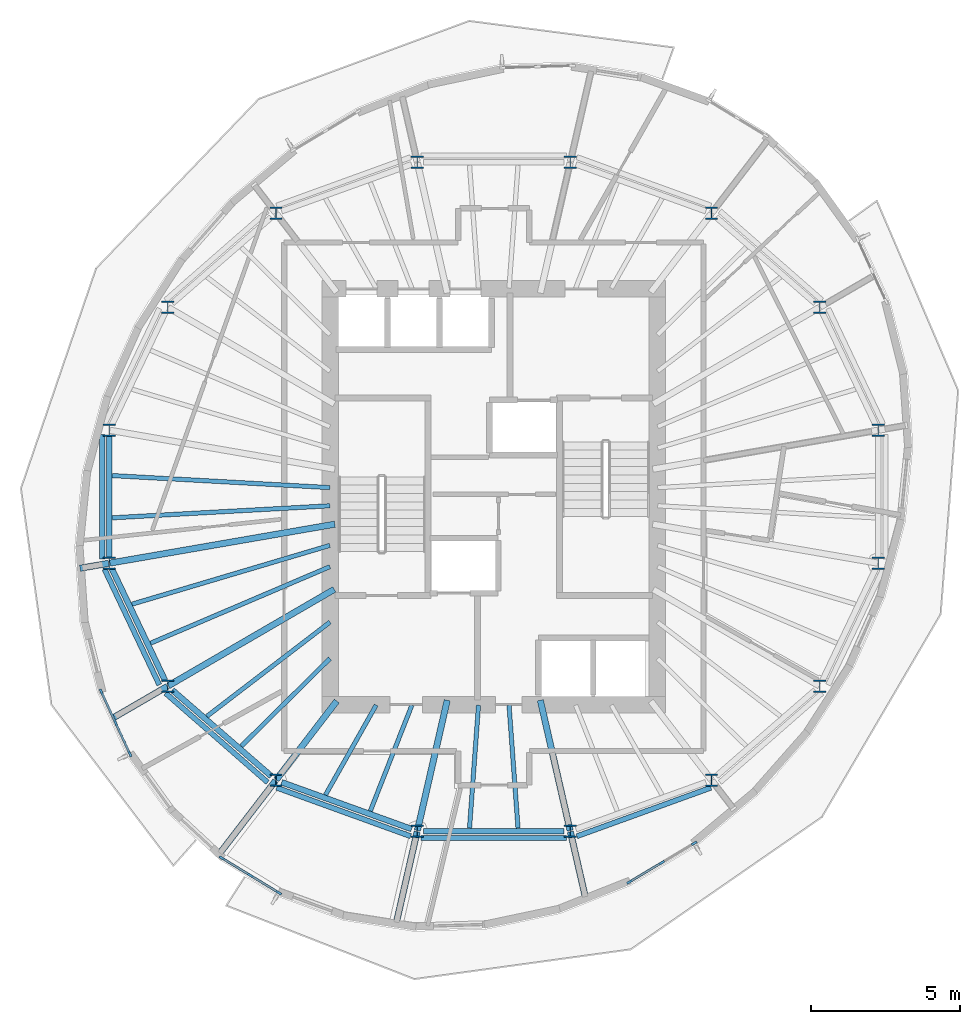
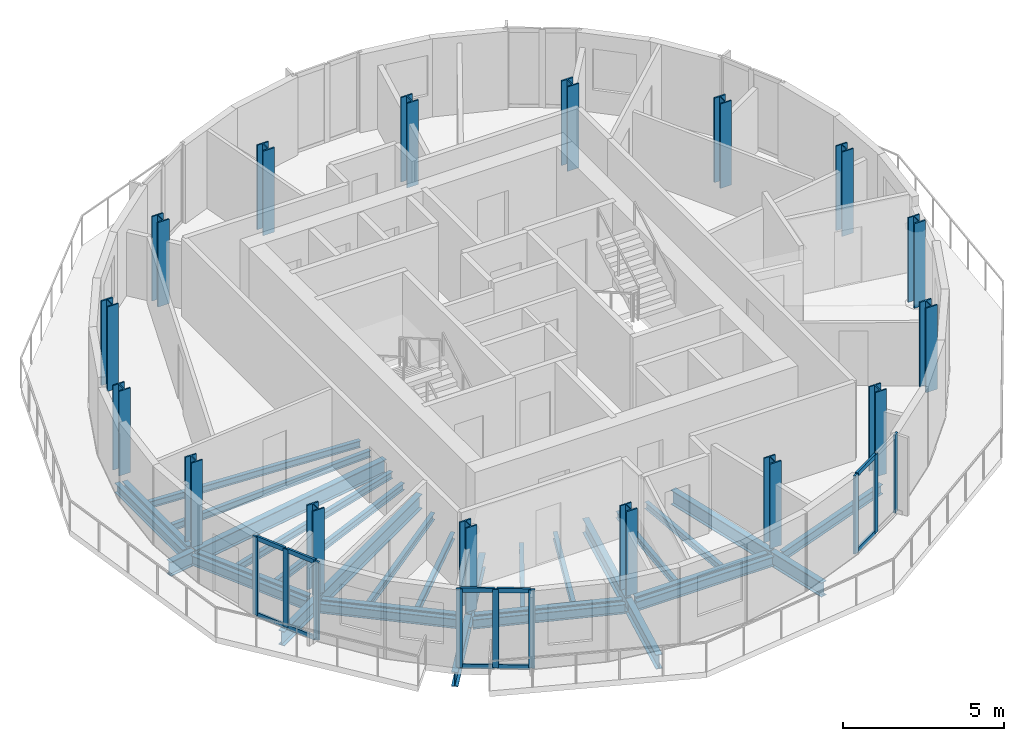
# One storey, part 1 of 11: 31 beams, 19 members, 16 columns, 3 elements without a shape of their own.
"""IFC4 building model written with IfcOpenShell, lengths in metres."""

from ifc_helpers import new_model, si_unit, direction, frame, origin, origin_2d, place, context, subcontext, project, spatial, rectangle, i_section, extrude, material, material_profile, profile_set, type_object, element, aggregate, save


model = new_model("IFC4")

# Units and contexts
model_context = context("Model", 3, precision=1e-05, world=origin(), true_north=direction((0.0, 1.0)))
body_context = subcontext(model_context, "Body", "Model", "MODEL_VIEW")
ifc_project = project(units=[si_unit("LENGTHUNIT", "METRE"), si_unit("AREAUNIT", "SQUARE_METRE"), si_unit("VOLUMEUNIT", "CUBIC_METRE"), si_unit("PLANEANGLEUNIT", "RADIAN"), si_unit("MASSUNIT", "GRAM", prefix="KILO")], contexts=[model_context])

# Site, building, storey
site_placement = place(None, origin())
site = spatial("IfcSite", under=ifc_project, at=site_placement, CompositionType="ELEMENT")
building_placement = place(site_placement, origin())
building = spatial("IfcBuilding", under=site, at=building_placement, Name="Veldorim Arch Residences", CompositionType="ELEMENT")
storey_placement = place(building_placement, frame((0.0, 0.0, 217.43994140625)))
storey = spatial("IfcBuildingStorey", under=building, at=storey_placement, Name="L65", CompositionType="ELEMENT", Elevation=217.43994140625)

# Columns
ifc_material_1 = material(Name="Steel S460", Category="steel")
ifc_material_profile_1 = material_profile(ifc_material_1, i_section(OverallWidth=0.406982421875, OverallDepth=0.4189453125, WebThickness=0.030517578125, FlangeThickness=0.04931640625, at=origin_2d()), Name="UC356x406x393")
ifc_profile_set_1 = profile_set([ifc_material_profile_1], Name="Steel S460")
column_type = type_object("IfcColumnType", Name="Structural Column UC356x406x393", PredefinedType="COLUMN", material=ifc_profile_set_1)
for number, where, z_axis, x_axis, name in (
    (1, (44.9462890625, 26.239501953125, 0.0), (0.0, 0.0, 1.0), (1.0, 0.0, 0.0), "L65 TC-Z4-01 perimeter column"),
    (2, (42.975341796875, 30.3779296875, 0.0), (0.0, 0.0, 1.0), (1.0, 0.0, 0.0), "L65 TC-Z4-02 perimeter column"),
    (3, (39.33349609375, 33.54541015625, 0.0), (0.0, 0.0, 1.0), (1.0, 0.0, 0.0), "L65 TC-Z4-03 perimeter column"),
    (4, (34.5751953125, 35.259521484375, 0.0), (0.0, 0.0, 1.0), (1.0, 0.0, 0.0), "L65 TC-Z4-04 perimeter column"),
    (5, (29.4248046875, 35.259521484375, 0.0), (0.0, 0.0, 1.0), (1.0, 0.0, 0.0), "L65 TC-Z4-05 perimeter column"),
    (6, (24.66650390625, 33.54541015625, 0.0), (0.0, 0.0, 1.0), (1.0, 0.0, 0.0), "L65 TC-Z4-06 perimeter column"),
    (7, (21.024658203125, 30.3779296875, 0.0), (0.0, 0.0, 1.0), (1.0, 0.0, 0.0), "L65 TC-Z4-07 perimeter column"),
    (8, (19.0537109375, 26.239501953125, 0.0), (0.0, 0.0, 1.0), (1.0, 0.0, 0.0), "L65 TC-Z4-08 perimeter column"),
    (9, (19.0537109375, 21.760498046875, 0.0), (0.0, 0.0, 1.0), (1.0, 0.0, 0.0), "L65 TC-Z4-09 perimeter column"),
    (10, (21.024658203125, 17.6220703125, 0.0), (0.0, 0.0, 1.0), (1.0, 0.0, 0.0), "L65 TC-Z4-10 perimeter column"),
    (11, (24.66650390625, 14.45458984375, 0.0), (0.0, 0.0, 1.0), (1.0, 0.0, 0.0), "L65 TC-Z4-11 perimeter column"),
    (12, (29.4248046875, 12.740478515625, 0.0), (0.0, 0.0, 1.0), (1.0, 0.0, 0.0), "L65 TC-Z4-12 perimeter column"),
    (13, (34.5751953125, 12.740478515625, 0.0), (0.0, 0.0, 1.0), (1.0, 0.0, 0.0), "L65 TC-Z4-13 perimeter column"),
    (14, (39.33349609375, 14.45458984375, 0.0), (0.0, 0.0, 1.0), (1.0, 0.0, 0.0), "L65 TC-Z4-14 perimeter column"),
    (15, (42.975341796875, 17.6220703125, 0.0), (0.0, 0.0, 1.0), (1.0, 0.0, 0.0), "L65 TC-Z4-15 perimeter column"),
    (16, (44.9462890625, 21.760498046875, 0.0), (0.0, 0.0, 1.0), (1.0, 0.0, 0.0), "L65 TC-Z4-16 perimeter column"),
):
    element("IfcColumn", number, at=place(storey_placement, frame(where, z_axis=z_axis, x_axis=x_axis)), inside=storey, type_object=column_type, Name=name, PredefinedType="COLUMN", context=body_context, shape_type="SweptSolid", body=[
        extrude(i_section(OverallWidth=0.406982421875, OverallDepth=0.4189453125, WebThickness=0.030517578125, FlangeThickness=0.04931640625, at=origin_2d()), origin(), (0.0, 0.0, 1.0), 3.199951171875),
    ])

# Beams
ifc_material_2 = material(Name="Steel S355", Category="steel")
ifc_material_profile_2 = material_profile(ifc_material_2, i_section(OverallWidth=0.2119140625, OverallDepth=0.54443359375, WebThickness=0.0126953125, FlangeThickness=0.021240234375, at=origin_2d()), Name="UB533x210x122")
ifc_profile_set_2 = profile_set([ifc_material_profile_2], Name="Steel S355")
beam_type_1 = type_object("IfcBeamType", Name="Structural Steel Beam UB533x210x122", PredefinedType="BEAM", material=ifc_profile_set_2)
beam_1_placement = place(storey_placement, frame((26.647705078125, 23.07421875, -0.51220703125), z_axis=(-0.985364974081, -0.170457818401, 0.0), x_axis=(0.170457818401, -0.985364974081, 0.0)))
element("IfcBeam", 17, at=beam_1_placement, inside=storey, type_object=beam_type_1, Name="L65 radial floor girder 09", PredefinedType="BEAM", context=body_context, shape_type="SweptSolid", body=[
    extrude(i_section(OverallWidth=0.2119140625, OverallDepth=0.54443359375, WebThickness=0.0126953125, FlangeThickness=0.021240234375, at=origin_2d()), origin(), (0.0, 0.0, 1.0), 7.68701171875),
])
beam_2_placement = place(storey_placement, frame((19.033935546875, 21.757080078125, -0.51220703125), z_axis=(-0.985356152623, -0.170508804723, 0.0), x_axis=(0.170508804723, -0.985356152623, 0.0)))
element("IfcBeam", 18, at=beam_2_placement, inside=storey, type_object=beam_type_1, Name="L65 radial edge cantilever girder 09", PredefinedType="BEAM", context=body_context, shape_type="SweptSolid", body=[
    extrude(i_section(OverallWidth=0.2119140625, OverallDepth=0.54443359375, WebThickness=0.0126953125, FlangeThickness=0.021240234375, at=origin_2d()), origin(), (0.0, 0.0, 1.0), 0.97802734375),
])
beam_3_placement = place(storey_placement, frame((26.629638671875, 20.87939453125, -0.51220703125), z_axis=(-0.864595736304, -0.502468121142, 0.0), x_axis=(0.502468121142, -0.864595736304, 0.0)))
element("IfcBeam", 19, at=beam_3_placement, inside=storey, type_object=beam_type_1, Name="L65 radial floor girder 10", PredefinedType="BEAM", context=body_context, shape_type="SweptSolid", body=[
    extrude(i_section(OverallWidth=0.2119140625, OverallDepth=0.54443359375, WebThickness=0.0126953125, FlangeThickness=0.021240234375, at=origin_2d()), origin(), (0.0, 0.0, 1.0), 6.462646484375),
])
beam_4_placement = place(storey_placement, frame((21.00732421875, 17.612060546875, -0.51220703125), z_axis=(-0.864602636906, -0.502456247105, 0.0), x_axis=(0.502456247105, -0.864602636906, 0.0)))
element("IfcBeam", 20, at=beam_4_placement, inside=storey, type_object=beam_type_1, Name="L65 radial edge cantilever girder 10", PredefinedType="BEAM", context=body_context, shape_type="SweptSolid", body=[
    extrude(i_section(OverallWidth=0.2119140625, OverallDepth=0.54443359375, WebThickness=0.0126953125, FlangeThickness=0.021240234375, at=origin_2d()), origin(), (0.0, 0.0, 1.0), 2.09326171875),
])
beam_5_placement = place(storey_placement, frame((26.71337890625, 17.118896484375, -0.51220703125), z_axis=(-0.609258442308, -0.792971721108, 0.0), x_axis=(0.792971721108, -0.609258442308, 0.0)))
element("IfcBeam", 21, at=beam_5_placement, inside=storey, type_object=beam_type_1, Name="L65 radial floor girder 11", PredefinedType="BEAM", context=body_context, shape_type="SweptSolid", body=[
    extrude(i_section(OverallWidth=0.2119140625, OverallDepth=0.54443359375, WebThickness=0.0126953125, FlangeThickness=0.021240234375, at=origin_2d()), origin(), (0.0, 0.0, 1.0), 3.339599609375),
])
beam_6_placement = place(storey_placement, frame((24.654296875, 14.438720703125, -0.51220703125), z_axis=(-0.609220133564, -0.793001153126, 0.0), x_axis=(0.793001153126, -0.609220133564, 0.0)))
element("IfcBeam", 22, at=beam_6_placement, inside=storey, type_object=beam_type_1, Name="L65 radial edge cantilever girder 11", PredefinedType="BEAM", context=body_context, shape_type="SweptSolid", body=[
    extrude(i_section(OverallWidth=0.2119140625, OverallDepth=0.54443359375, WebThickness=0.0126953125, FlangeThickness=0.021240234375, at=origin_2d()), origin(), (0.0, 0.0, 1.0), 3.151123046875),
])
beam_7_placement = place(storey_placement, frame((30.432373046875, 17.146240234375, -0.51220703125), z_axis=(-0.222952976993, -0.97482920045, 0.0), x_axis=(0.97482920045, -0.222952976993, 0.0)))
element("IfcBeam", 23, at=beam_7_placement, inside=storey, type_object=beam_type_1, Name="L65 radial floor girder 12", PredefinedType="BEAM", context=body_context, shape_type="SweptSolid", body=[
    extrude(i_section(OverallWidth=0.2119140625, OverallDepth=0.54443359375, WebThickness=0.0126953125, FlangeThickness=0.021240234375, at=origin_2d()), origin(), (0.0, 0.0, 1.0), 4.49951171875),
])
beam_8_placement = place(storey_placement, frame((29.42041015625, 12.72119140625, -0.51220703125), z_axis=(-0.22295712551, -0.974828251634, 0.0), x_axis=(0.974828251634, -0.22295712551, 0.0)))
element("IfcBeam", 24, at=beam_8_placement, inside=storey, type_object=beam_type_1, Name="L65 radial edge cantilever girder 12", PredefinedType="BEAM", context=body_context, shape_type="SweptSolid", body=[
    extrude(i_section(OverallWidth=0.2119140625, OverallDepth=0.54443359375, WebThickness=0.0126953125, FlangeThickness=0.021240234375, at=origin_2d()), origin(), (0.0, 0.0, 1.0), 3.206298828125),
])
beam_9_placement = place(storey_placement, frame((33.567626953125, 17.146240234375, -0.51220703125), z_axis=(0.222952976993, -0.97482920045, 0.0), x_axis=(0.97482920045, 0.222952976993, 0.0)))
element("IfcBeam", 25, at=beam_9_placement, inside=storey, type_object=beam_type_1, Name="L65 radial floor girder 13", PredefinedType="BEAM", context=body_context, shape_type="SweptSolid", body=[
    extrude(i_section(OverallWidth=0.2119140625, OverallDepth=0.54443359375, WebThickness=0.0126953125, FlangeThickness=0.021240234375, at=origin_2d()), origin(), (0.0, 0.0, 1.0), 4.49951171875),
])
beam_10_placement = place(storey_placement, frame((34.57958984375, 12.72119140625, -0.51220703125), z_axis=(0.222989981251, -0.974820736475, 0.0), x_axis=(0.974820736475, 0.222989981251, 0.0)))
element("IfcBeam", 26, at=beam_10_placement, inside=storey, type_object=beam_type_1, Name="L65 radial edge cantilever girder 13", PredefinedType="BEAM", context=body_context, shape_type="SweptSolid", body=[
    extrude(i_section(OverallWidth=0.2119140625, OverallDepth=0.54443359375, WebThickness=0.0126953125, FlangeThickness=0.021240234375, at=origin_2d()), origin(), (0.0, 0.0, 1.0), 2.32763671875),
])
ifc_material_3 = material(Name="Steel S355", Category="steel")
ifc_material_profile_3 = material_profile(ifc_material_3, i_section(OverallWidth=0.146484375, OverallDepth=0.256103515625, WebThickness=0.00634765625, FlangeThickness=0.010986328125, at=origin_2d()), Name="UB254x146x37")
ifc_profile_set_3 = profile_set([ifc_material_profile_3], Name="Steel S355")
beam_type_2 = type_object("IfcBeamType", Name="Structural Steel Joist UB254x146x37", PredefinedType="JOIST", material=ifc_profile_set_3)
for number, where, z_axis, x_axis, name in (
    (27, (26.47998046875, 24.3056640625, -0.367919921875), (-0.998472000884, 0.055259962464, 0.0), (-0.055259962464, -0.998472000884, 0.0), "L65 secondary radial floor joist 08-1"),
    (28, (26.47998046875, 23.6943359375, -0.367919921875), (-0.998472000884, -0.055259962464, 0.0), (0.055259962464, -0.998472000884, 0.0), "L65 secondary radial floor joist 08-2"),
):
    element("IfcBeam", number, at=place(storey_placement, frame(where, z_axis=z_axis, x_axis=x_axis)), inside=storey, type_object=beam_type_2, Name=name, PredefinedType="JOIST", context=body_context, shape_type="SweptSolid", body=[
        extrude(i_section(OverallWidth=0.146484375, OverallDepth=0.256103515625, WebThickness=0.00634765625, FlangeThickness=0.010986328125, at=origin_2d()), origin(), (0.0, 0.0, 1.0), 7.33837890625),
    ])
beam_11_placement = place(storey_placement, frame((26.480712890625, 22.360595703125, -0.367919921875), z_axis=(-0.958594432792, -0.284774846889, 0.0), x_axis=(0.284774846889, -0.958594432792, 0.0)))
element("IfcBeam", 29, at=beam_11_placement, inside=storey, type_object=beam_type_2, Name="L65 secondary radial floor joist 09-1", PredefinedType="JOIST", context=body_context, shape_type="SweptSolid", body=[
    extrude(i_section(OverallWidth=0.146484375, OverallDepth=0.256103515625, WebThickness=0.00634765625, FlangeThickness=0.010986328125, at=origin_2d()), origin(), (0.0, 0.0, 1.0), 6.949462890625),
])
beam_12_placement = place(storey_placement, frame((26.481689453125, 21.644287109375, -0.367919921875), z_axis=(-0.919725161652, -0.392562895629, 0.0), x_axis=(0.392562895629, -0.919725161652, 0.0)))
element("IfcBeam", 30, at=beam_12_placement, inside=storey, type_object=beam_type_2, Name="L65 secondary radial floor joist 09-2", PredefinedType="JOIST", context=body_context, shape_type="SweptSolid", body=[
    extrude(i_section(OverallWidth=0.146484375, OverallDepth=0.256103515625, WebThickness=0.00634765625, FlangeThickness=0.010986328125, at=origin_2d()), origin(), (0.0, 0.0, 1.0), 6.5625),
])
beam_13_placement = place(storey_placement, frame((26.484130859375, 19.777099609375, -0.367919921875), z_axis=(-0.794013672216, -0.607899899929, 0.0), x_axis=(0.607899899929, -0.794013672216, 0.0)))
element("IfcBeam", 31, at=beam_13_placement, inside=storey, type_object=beam_type_2, Name="L65 secondary radial floor joist 10-1", PredefinedType="JOIST", context=body_context, shape_type="SweptSolid", body=[
    extrude(i_section(OverallWidth=0.146484375, OverallDepth=0.256103515625, WebThickness=0.00634765625, FlangeThickness=0.010986328125, at=origin_2d()), origin(), (0.0, 0.0, 1.0), 5.217041015625),
])
beam_14_placement = place(storey_placement, frame((26.48583984375, 18.55224609375, -0.367919921875), z_axis=(-0.711396725432, -0.702790650937, 0.0), x_axis=(0.702790650937, -0.711396725432, 0.0)))
element("IfcBeam", 32, at=beam_14_placement, inside=storey, type_object=beam_type_2, Name="L65 secondary radial floor joist 10-2", PredefinedType="JOIST", context=body_context, shape_type="SweptSolid", body=[
    extrude(i_section(OverallWidth=0.146484375, OverallDepth=0.256103515625, WebThickness=0.00634765625, FlangeThickness=0.010986328125, at=origin_2d()), origin(), (0.0, 0.0, 1.0), 4.198486328125),
])
beam_15_placement = place(storey_placement, frame((28.039794921875, 16.982666015625, -0.367919921875), z_axis=(-0.491452469585, -0.870904397818, 0.0), x_axis=(0.870904397818, -0.491452469585, 0.0)))
element("IfcBeam", 33, at=beam_15_placement, inside=storey, type_object=beam_type_2, Name="L65 secondary radial floor joist 11-1", PredefinedType="JOIST", context=body_context, shape_type="SweptSolid", body=[
    extrude(i_section(OverallWidth=0.146484375, OverallDepth=0.256103515625, WebThickness=0.00634765625, FlangeThickness=0.010986328125, at=origin_2d()), origin(), (0.0, 0.0, 1.0), 3.472412109375),
])
beam_16_placement = place(storey_placement, frame((29.24365234375, 16.9814453125, -0.367919921875), z_axis=(-0.365581383042, -0.930779379001, 0.0), x_axis=(0.930779379001, -0.365581383042, 0.0)))
element("IfcBeam", 34, at=beam_16_placement, inside=storey, type_object=beam_type_2, Name="L65 secondary radial floor joist 11-2", PredefinedType="JOIST", context=body_context, shape_type="SweptSolid", body=[
    extrude(i_section(OverallWidth=0.146484375, OverallDepth=0.256103515625, WebThickness=0.00634765625, FlangeThickness=0.010986328125, at=origin_2d()), origin(), (0.0, 0.0, 1.0), 3.83056640625),
])
for number, where, z_axis, x_axis, name in (
    (35, (31.486083984375, 16.97998046875, -0.367919921875), (-0.072985625899, -0.997332992742, 0.0), (0.997332992742, -0.072985625899, 0.0), "L65 secondary radial floor joist 12-1"),
    (36, (32.513916015625, 16.97998046875, -0.367919921875), (0.072985625899, -0.997332992742, 0.0), (0.997332992742, 0.072985625899, 0.0), "L65 secondary radial floor joist 12-2"),
):
    element("IfcBeam", number, at=place(storey_placement, frame(where, z_axis=z_axis, x_axis=x_axis)), inside=storey, type_object=beam_type_2, Name=name, PredefinedType="JOIST", context=body_context, shape_type="SweptSolid", body=[
        extrude(i_section(OverallWidth=0.146484375, OverallDepth=0.256103515625, WebThickness=0.00634765625, FlangeThickness=0.010986328125, at=origin_2d()), origin(), (0.0, 0.0, 1.0), 4.151123046875),
    ])
ifc_material_4 = material(Name="Steel S355", Category="steel")
ifc_material_profile_4 = material_profile(ifc_material_4, i_section(OverallWidth=0.172119140625, OverallDepth=0.35791015625, WebThickness=0.008056640625, FlangeThickness=0.012939453125, at=origin_2d()), Name="UB356x171x57")
ifc_profile_set_4 = profile_set([ifc_material_profile_4], Name="Steel S355")
beam_type_3 = type_object("IfcBeamType", Name="Structural Steel Spandrel UB356x171x57", PredefinedType="SPANDREL", material=ifc_profile_set_4)
beam_17_placement = place(storey_placement, frame((18.817138671875, 26.101318359375, -0.43896484375), z_axis=(0.0, -1.0, 0.0), x_axis=(1.0, 0.0, 0.0)))
element("IfcBeam", 37, at=beam_17_placement, inside=storey, type_object=beam_type_3, Name="L65 perimeter chord spandrel beam 08", PredefinedType="SPANDREL", context=body_context, shape_type="SweptSolid", body=[
    extrude(i_section(OverallWidth=0.172119140625, OverallDepth=0.35791015625, WebThickness=0.008056640625, FlangeThickness=0.012939453125, at=origin_2d()), origin(), (0.0, 0.0, 1.0), 4.20263671875),
])
beam_18_placement = place(storey_placement, frame((18.893798828125, 21.5576171875, -0.43896484375), z_axis=(0.428468601304, -0.903556670994, 0.0), x_axis=(0.903556670994, 0.428468601304, 0.0)))
element("IfcBeam", 38, at=beam_18_placement, inside=storey, type_object=beam_type_3, Name="L65 perimeter chord spandrel beam 09", PredefinedType="SPANDREL", context=body_context, shape_type="SweptSolid", body=[
    extrude(i_section(OverallWidth=0.172119140625, OverallDepth=0.35791015625, WebThickness=0.008056640625, FlangeThickness=0.012939453125, at=origin_2d()), origin(), (0.0, 0.0, 1.0), 4.31005859375),
])
beam_19_placement = place(storey_placement, frame((20.951904296875, 17.3837890625, -0.43896484375), z_axis=(0.752868439096, -0.658171036596, 0.0), x_axis=(0.658171036596, 0.752868439096, 0.0)))
element("IfcBeam", 39, at=beam_19_placement, inside=storey, type_object=beam_type_3, Name="L65 perimeter chord spandrel beam 10", PredefinedType="SPANDREL", context=body_context, shape_type="SweptSolid", body=[
    extrude(i_section(OverallWidth=0.172119140625, OverallDepth=0.35791015625, WebThickness=0.008056640625, FlangeThickness=0.012939453125, at=origin_2d()), origin(), (0.0, 0.0, 1.0), 4.560791015625),
])
beam_20_placement = place(storey_placement, frame((24.688720703125, 14.203369140625, -0.43896484375), z_axis=(0.940178823137, -0.340681347486, 0.0), x_axis=(0.340681347486, 0.940178823137, 0.0)))
element("IfcBeam", 40, at=beam_20_placement, inside=storey, type_object=beam_type_3, Name="L65 perimeter chord spandrel beam 11", PredefinedType="SPANDREL", context=body_context, shape_type="SweptSolid", body=[
    extrude(i_section(OverallWidth=0.172119140625, OverallDepth=0.35791015625, WebThickness=0.008056640625, FlangeThickness=0.012939453125, at=origin_2d()), origin(), (0.0, 0.0, 1.0), 4.80126953125),
])
beam_21_placement = place(storey_placement, frame((29.55029296875, 12.506591796875, -0.43896484375), z_axis=(1.0, 0.0, 0.0), x_axis=(0.0, 1.0, 0.0)))
element("IfcBeam", 41, at=beam_21_placement, inside=storey, type_object=beam_type_3, Name="L65 perimeter chord spandrel beam 12", PredefinedType="SPANDREL", context=body_context, shape_type="SweptSolid", body=[
    extrude(i_section(OverallWidth=0.172119140625, OverallDepth=0.35791015625, WebThickness=0.008056640625, FlangeThickness=0.012939453125, at=origin_2d()), origin(), (0.0, 0.0, 1.0), 4.8994140625),
])
beam_22_placement = place(storey_placement, frame((34.797119140625, 12.567626953125, -0.43896484375), z_axis=(0.940178823137, 0.340681347486, 0.0), x_axis=(-0.340681347486, 0.940178823137, 0.0)))
element("IfcBeam", 42, at=beam_22_placement, inside=storey, type_object=beam_type_3, Name="L65 perimeter chord spandrel beam 13", PredefinedType="SPANDREL", context=body_context, shape_type="SweptSolid", body=[
    extrude(i_section(OverallWidth=0.172119140625, OverallDepth=0.35791015625, WebThickness=0.008056640625, FlangeThickness=0.012939453125, at=origin_2d()), origin(), (0.0, 0.0, 1.0), 4.80126953125),
])
ifc_material_5 = material(Name="Steel S355", Category="steel")
ifc_material_profile_5 = material_profile(ifc_material_5, i_section(OverallWidth=0.19140625, OverallDepth=0.4599609375, WebThickness=0.010009765625, FlangeThickness=0.01611328125, at=origin_2d()), Name="UB457x191x82")
ifc_profile_set_5 = profile_set([ifc_material_profile_5], Name="Steel S355")
beam_type_4 = type_object("IfcBeamType", Name="Structural Steel Spandrel UB457x191x82", PredefinedType="SPANDREL", material=ifc_profile_set_5)
beam_23_placement = place(storey_placement, frame((19.0537109375, 26.0361328125, -0.469970703125), z_axis=(0.0, -1.0, 0.0), x_axis=(1.0, 0.0, 0.0)))
element("IfcBeam", 43, at=beam_23_placement, inside=storey, type_object=beam_type_4, Name="L65 perimeter ring tie beam 08", PredefinedType="SPANDREL", context=body_context, shape_type="SweptSolid", body=[
    extrude(i_section(OverallWidth=0.19140625, OverallDepth=0.4599609375, WebThickness=0.010009765625, FlangeThickness=0.01611328125, at=origin_2d()), origin(), (0.0, 0.0, 1.0), 4.072265625),
])
beam_24_placement = place(storey_placement, frame((19.14111328125, 21.57666015625, -0.469970703125), z_axis=(0.429992574394, -0.902832424078, 0.0), x_axis=(0.902832424078, 0.429992574394, 0.0)))
element("IfcBeam", 44, at=beam_24_placement, inside=storey, type_object=beam_type_4, Name="L65 perimeter ring tie beam 09", PredefinedType="SPANDREL", context=body_context, shape_type="SweptSolid", body=[
    extrude(i_section(OverallWidth=0.19140625, OverallDepth=0.4599609375, WebThickness=0.010009765625, FlangeThickness=0.01611328125, at=origin_2d()), origin(), (0.0, 0.0, 1.0), 4.176513671875),
])
beam_25_placement = place(storey_placement, frame((21.17822265625, 17.488525390625, -0.469970703125), z_axis=(0.754534162517, -0.656260769508, 0.0), x_axis=(0.656260769508, 0.754534162517, 0.0)))
element("IfcBeam", 45, at=beam_25_placement, inside=storey, type_object=beam_type_4, Name="L65 perimeter ring tie beam 10", PredefinedType="SPANDREL", context=body_context, shape_type="SweptSolid", body=[
    extrude(i_section(OverallWidth=0.19140625, OverallDepth=0.4599609375, WebThickness=0.010009765625, FlangeThickness=0.01611328125, at=origin_2d()), origin(), (0.0, 0.0, 1.0), 4.419677734375),
])
beam_26_placement = place(storey_placement, frame((24.85791015625, 14.3857421875, -0.469970703125), z_axis=(0.940819134121, -0.338909068736, 0.0), x_axis=(0.338909068736, 0.940819134121, 0.0)))
element("IfcBeam", 46, at=beam_26_placement, inside=storey, type_object=beam_type_4, Name="L65 perimeter ring tie beam 11", PredefinedType="SPANDREL", context=body_context, shape_type="SweptSolid", body=[
    extrude(i_section(OverallWidth=0.19140625, OverallDepth=0.4599609375, WebThickness=0.010009765625, FlangeThickness=0.01611328125, at=origin_2d()), origin(), (0.0, 0.0, 1.0), 4.650634765625),
])
beam_27_placement = place(storey_placement, frame((29.62841796875, 12.740478515625, -0.469970703125), z_axis=(1.0, 0.0, 0.0), x_axis=(0.0, 1.0, 0.0)))
element("IfcBeam", 47, at=beam_27_placement, inside=storey, type_object=beam_type_4, Name="L65 perimeter ring tie beam 12", PredefinedType="SPANDREL", context=body_context, shape_type="SweptSolid", body=[
    extrude(i_section(OverallWidth=0.19140625, OverallDepth=0.4599609375, WebThickness=0.010009765625, FlangeThickness=0.01611328125, at=origin_2d()), origin(), (0.0, 0.0, 1.0), 4.7431640625),
])

# Curtain wall, members
ifc_material_6 = material(Name="Aluminium", Category="aluminium")
curtain_wall_type = type_object("IfcCurtainWallType", Name="Zone 4 High-Altitude Unitised Curtain Wall", PredefinedType="NOTDEFINED", material=ifc_material_6)
curtain_wall_1_placement = place(storey_placement, origin())
curtain_wall_1 = element("IfcCurtainWall", 48, at=curtain_wall_1_placement, inside=storey, type_object=curtain_wall_type, Name="L65 unitised curtain wall bay 16", PredefinedType="NOTDEFINED")
ifc_material_7 = material(Name="Aluminium", Category="aluminium")
ifc_material_profile_6 = material_profile(ifc_material_7, rectangle(XDim=0.074951171875, YDim=0.195068359375, at=origin_2d()), Name="ALU_MUL_75x195")
ifc_profile_set_6 = profile_set([ifc_material_profile_6], Name="Aluminium")
member_type_1 = type_object("IfcMemberType", Name="Zone 4 High-Altitude Unitised Curtain Wall Mullion 75x195", PredefinedType="MULLION", material=ifc_profile_set_6)
member_1_placement = place(storey_placement, frame((19.751708984375, 15.333251953125, 0.0), z_axis=(0.0, 0.0, 1.0), x_axis=(-0.908400123828, -0.418101919427, 0.0)))
member_1 = element("IfcMember", 49, at=member_1_placement, type_object=member_type_1, Name="CW-Z4 mullion 1", PredefinedType="MULLION", context=body_context, shape_type="SweptSolid", body=[
    extrude(rectangle(XDim=0.074951171875, YDim=0.195068359375, at=origin_2d()), origin(), (0.0, 0.0, 1.0), 2.9599609375),
])
member_2_placement = place(storey_placement, frame((19.268310546875, 16.3837890625, 0.0), z_axis=(0.0, 0.0, 1.0), x_axis=(-0.908400123828, -0.418101919427, 0.0)))
member_2 = element("IfcMember", 50, at=member_2_placement, type_object=member_type_1, Name="CW-Z4 mullion 2", PredefinedType="MULLION", context=body_context, shape_type="SweptSolid", body=[
    extrude(rectangle(XDim=0.074951171875, YDim=0.195068359375, at=origin_2d()), origin(), (0.0, 0.0, 1.0), 2.9599609375),
])
member_3_placement = place(storey_placement, frame((18.78466796875, 17.434326171875, 0.0), z_axis=(0.0, 0.0, 1.0), x_axis=(-0.908400123828, -0.418101919427, 0.0)))
member_3 = element("IfcMember", 51, at=member_3_placement, type_object=member_type_1, Name="CW-Z4 mullion 3", PredefinedType="MULLION", context=body_context, shape_type="SweptSolid", body=[
    extrude(rectangle(XDim=0.074951171875, YDim=0.195068359375, at=origin_2d()), origin(), (0.0, 0.0, 1.0), 2.9599609375),
])

curtain_wall_2_placement = place(storey_placement, origin())
curtain_wall_2 = element("IfcCurtainWall", 52, at=curtain_wall_2_placement, inside=storey, type_object=curtain_wall_type, Name="L65 unitised curtain wall bay 19", PredefinedType="NOTDEFINED")
member_4_placement = place(storey_placement, frame((24.763427734375, 10.665283203125, 0.0), z_axis=(0.0, 0.0, 1.0), x_axis=(-0.520032918989, -0.854146218846, 0.0)))
member_4 = element("IfcMember", 53, at=member_4_placement, type_object=member_type_1, Name="CW-Z4 mullion 1", PredefinedType="MULLION", context=body_context, shape_type="SweptSolid", body=[
    extrude(rectangle(XDim=0.074951171875, YDim=0.195068359375, at=origin_2d()), origin(), (0.0, 0.0, 1.0), 2.9599609375),
])
member_5_placement = place(storey_placement, frame((23.802734375, 11.250244140625, 0.0), z_axis=(0.0, 0.0, 1.0), x_axis=(-0.520032918989, -0.854146218846, 0.0)))
member_5 = element("IfcMember", 54, at=member_5_placement, type_object=member_type_1, Name="CW-Z4 mullion 2", PredefinedType="MULLION", context=body_context, shape_type="SweptSolid", body=[
    extrude(rectangle(XDim=0.074951171875, YDim=0.195068359375, at=origin_2d()), origin(), (0.0, 0.0, 1.0), 2.9599609375),
])
member_6_placement = place(storey_placement, frame((22.842041015625, 11.835205078125, 0.0), z_axis=(0.0, 0.0, 1.0), x_axis=(-0.520032918989, -0.854146218846, 0.0)))
member_6 = element("IfcMember", 55, at=member_6_placement, type_object=member_type_1, Name="CW-Z4 mullion 3", PredefinedType="MULLION", context=body_context, shape_type="SweptSolid", body=[
    extrude(rectangle(XDim=0.074951171875, YDim=0.195068359375, at=origin_2d()), origin(), (0.0, 0.0, 1.0), 2.9599609375),
])

curtain_wall_3_placement = place(storey_placement, origin())
curtain_wall_3 = element("IfcCurtainWall", 56, at=curtain_wall_3_placement, inside=storey, type_object=curtain_wall_type, Name="L65 unitised curtain wall bay 25", PredefinedType="NOTDEFINED")
member_7_placement = place(storey_placement, frame((38.748291015625, 12.3310546875, 0.0), z_axis=(0.0, 0.0, 1.0), x_axis=(0.512816771325, -0.85849808331, 0.0)))
member_7 = element("IfcMember", 57, at=member_7_placement, type_object=member_type_1, Name="CW-Z4 mullion 1", PredefinedType="MULLION", context=body_context, shape_type="SweptSolid", body=[
    extrude(rectangle(XDim=0.074951171875, YDim=0.195068359375, at=origin_2d()), origin(), (0.0, 0.0, 1.0), 2.9599609375),
])
member_8_placement = place(storey_placement, frame((37.659423828125, 11.6806640625, 0.0), z_axis=(0.0, 0.0, 1.0), x_axis=(0.512816771325, -0.85849808331, 0.0)))
member_8 = element("IfcMember", 58, at=member_8_placement, type_object=member_type_1, Name="CW-Z4 mullion 2", PredefinedType="MULLION", context=body_context, shape_type="SweptSolid", body=[
    extrude(rectangle(XDim=0.074951171875, YDim=0.195068359375, at=origin_2d()), origin(), (0.0, 0.0, 1.0), 2.9599609375),
])
member_9_placement = place(storey_placement, frame((36.570556640625, 11.0302734375, 0.0), z_axis=(0.0, 0.0, 1.0), x_axis=(0.512816771325, -0.85849808331, 0.0)))
member_9 = element("IfcMember", 59, at=member_9_placement, type_object=member_type_1, Name="CW-Z4 mullion 3", PredefinedType="MULLION", context=body_context, shape_type="SweptSolid", body=[
    extrude(rectangle(XDim=0.074951171875, YDim=0.195068359375, at=origin_2d()), origin(), (0.0, 0.0, 1.0), 2.9599609375),
])

# Member
ifc_material_8 = material(Name="Aluminium", Category="aluminium")
ifc_material_profile_7 = material_profile(ifc_material_8, rectangle(XDim=0.074951171875, YDim=0.1650390625, at=origin_2d()), Name="ALU_TRN_75x165")
ifc_profile_set_7 = profile_set([ifc_material_profile_7], Name="Aluminium")
member_type_2 = type_object("IfcMemberType", Name="Zone 4 High-Altitude Unitised Curtain Wall Transom 75x165", PredefinedType="USERDEFINED", material=ifc_profile_set_7)
member_10_placement = place(storey_placement, frame((19.736083984375, 15.367431640625, 0.03759765625), z_axis=(-0.418084469108, 0.908408155341, 0.0), x_axis=(-0.908408155341, -0.418084469108, 0.0)))
member_10 = element("IfcMember", 60, at=member_10_placement, type_object=member_type_2, Name="CW-Z4 transom 1.1", ObjectType="TRANSOM", PredefinedType="USERDEFINED", context=body_context, shape_type="SweptSolid", body=[
    extrude(rectangle(XDim=0.074951171875, YDim=0.1650390625, at=origin_2d()), origin(), (0.0, 0.0, 1.0), 1.08154296875),
])

member_11_placement = place(storey_placement, frame((19.736083984375, 15.367431640625, 2.922607421875), z_axis=(-0.418084469108, 0.908408155341, 0.0), x_axis=(-0.908408155341, -0.418084469108, 0.0)))
member_11 = element("IfcMember", 61, at=member_11_placement, type_object=member_type_2, Name="CW-Z4 transom 1.2", ObjectType="TRANSOM", PredefinedType="USERDEFINED", context=body_context, shape_type="SweptSolid", body=[
    extrude(rectangle(XDim=0.074951171875, YDim=0.1650390625, at=origin_2d()), origin(), (0.0, 0.0, 1.0), 1.08154296875),
])

member_12_placement = place(storey_placement, frame((19.252685546875, 16.41796875, 0.03759765625), z_axis=(-0.418084469108, 0.908408155341, 0.0), x_axis=(-0.908408155341, -0.418084469108, 0.0)))
member_12 = element("IfcMember", 62, at=member_12_placement, type_object=member_type_2, Name="CW-Z4 transom 2.1", ObjectType="TRANSOM", PredefinedType="USERDEFINED", context=body_context, shape_type="SweptSolid", body=[
    extrude(rectangle(XDim=0.074951171875, YDim=0.1650390625, at=origin_2d()), origin(), (0.0, 0.0, 1.0), 1.08154296875),
])

member_13_placement = place(storey_placement, frame((19.252685546875, 16.41796875, 2.922607421875), z_axis=(-0.418084469108, 0.908408155341, 0.0), x_axis=(-0.908408155341, -0.418084469108, 0.0)))
member_13 = element("IfcMember", 63, at=member_13_placement, type_object=member_type_2, Name="CW-Z4 transom 2.2", ObjectType="TRANSOM", PredefinedType="USERDEFINED", context=body_context, shape_type="SweptSolid", body=[
    extrude(rectangle(XDim=0.074951171875, YDim=0.1650390625, at=origin_2d()), origin(), (0.0, 0.0, 1.0), 1.08154296875),
])

aggregate(curtain_wall_1, [member_1, member_2, member_3, member_10, member_11, member_12, member_13])

member_14_placement = place(storey_placement, frame((24.7314453125, 10.684814453125, 0.03759765625), z_axis=(-0.854171610256, 0.519991211688, 0.0), x_axis=(-0.519991211688, -0.854171610256, 0.0)))
member_14 = element("IfcMember", 64, at=member_14_placement, type_object=member_type_2, Name="CW-Z4 transom 1.1", ObjectType="TRANSOM", PredefinedType="USERDEFINED", context=body_context, shape_type="SweptSolid", body=[
    extrude(rectangle(XDim=0.074951171875, YDim=0.1650390625, at=origin_2d()), origin(), (0.0, 0.0, 1.0), 1.0498046875),
])

member_15_placement = place(storey_placement, frame((24.7314453125, 10.684814453125, 2.922607421875), z_axis=(-0.854171610256, 0.519991211688, 0.0), x_axis=(-0.519991211688, -0.854171610256, 0.0)))
member_15 = element("IfcMember", 65, at=member_15_placement, type_object=member_type_2, Name="CW-Z4 transom 1.2", ObjectType="TRANSOM", PredefinedType="USERDEFINED", context=body_context, shape_type="SweptSolid", body=[
    extrude(rectangle(XDim=0.074951171875, YDim=0.1650390625, at=origin_2d()), origin(), (0.0, 0.0, 1.0), 1.0498046875),
])

member_16_placement = place(storey_placement, frame((23.770751953125, 11.269775390625, 0.03759765625), z_axis=(-0.854171610256, 0.519991211688, 0.0), x_axis=(-0.519991211688, -0.854171610256, 0.0)))
member_16 = element("IfcMember", 66, at=member_16_placement, type_object=member_type_2, Name="CW-Z4 transom 2.1", ObjectType="TRANSOM", PredefinedType="USERDEFINED", context=body_context, shape_type="SweptSolid", body=[
    extrude(rectangle(XDim=0.074951171875, YDim=0.1650390625, at=origin_2d()), origin(), (0.0, 0.0, 1.0), 1.0498046875),
])

member_17_placement = place(storey_placement, frame((23.770751953125, 11.269775390625, 2.922607421875), z_axis=(-0.854171610256, 0.519991211688, 0.0), x_axis=(-0.519991211688, -0.854171610256, 0.0)))
member_17 = element("IfcMember", 67, at=member_17_placement, type_object=member_type_2, Name="CW-Z4 transom 2.2", ObjectType="TRANSOM", PredefinedType="USERDEFINED", context=body_context, shape_type="SweptSolid", body=[
    extrude(rectangle(XDim=0.074951171875, YDim=0.1650390625, at=origin_2d()), origin(), (0.0, 0.0, 1.0), 1.0498046875),
])

aggregate(curtain_wall_2, [member_4, member_5, member_6, member_14, member_15, member_16, member_17])

member_18_placement = place(storey_placement, frame((37.627197265625, 11.66162109375, 0.03759765625), z_axis=(-0.858448189445, -0.512900288593, 0.0), x_axis=(0.512900288593, -0.858448189445, 0.0)))
member_18 = element("IfcMember", 68, at=member_18_placement, type_object=member_type_2, Name="CW-Z4 transom 2.1", ObjectType="TRANSOM", PredefinedType="USERDEFINED", context=body_context, shape_type="SweptSolid", body=[
    extrude(rectangle(XDim=0.074951171875, YDim=0.1650390625, at=origin_2d()), origin(), (0.0, 0.0, 1.0), 1.193359375),
])

member_19_placement = place(storey_placement, frame((37.627197265625, 11.66162109375, 2.922607421875), z_axis=(-0.858448189445, -0.512900288593, 0.0), x_axis=(0.512900288593, -0.858448189445, 0.0)))
member_19 = element("IfcMember", 69, at=member_19_placement, type_object=member_type_2, Name="CW-Z4 transom 2.2", ObjectType="TRANSOM", PredefinedType="USERDEFINED", context=body_context, shape_type="SweptSolid", body=[
    extrude(rectangle(XDim=0.074951171875, YDim=0.1650390625, at=origin_2d()), origin(), (0.0, 0.0, 1.0), 1.193359375),
])

aggregate(curtain_wall_3, [member_7, member_8, member_9, member_18, member_19])

save(model, "model.ifc")
